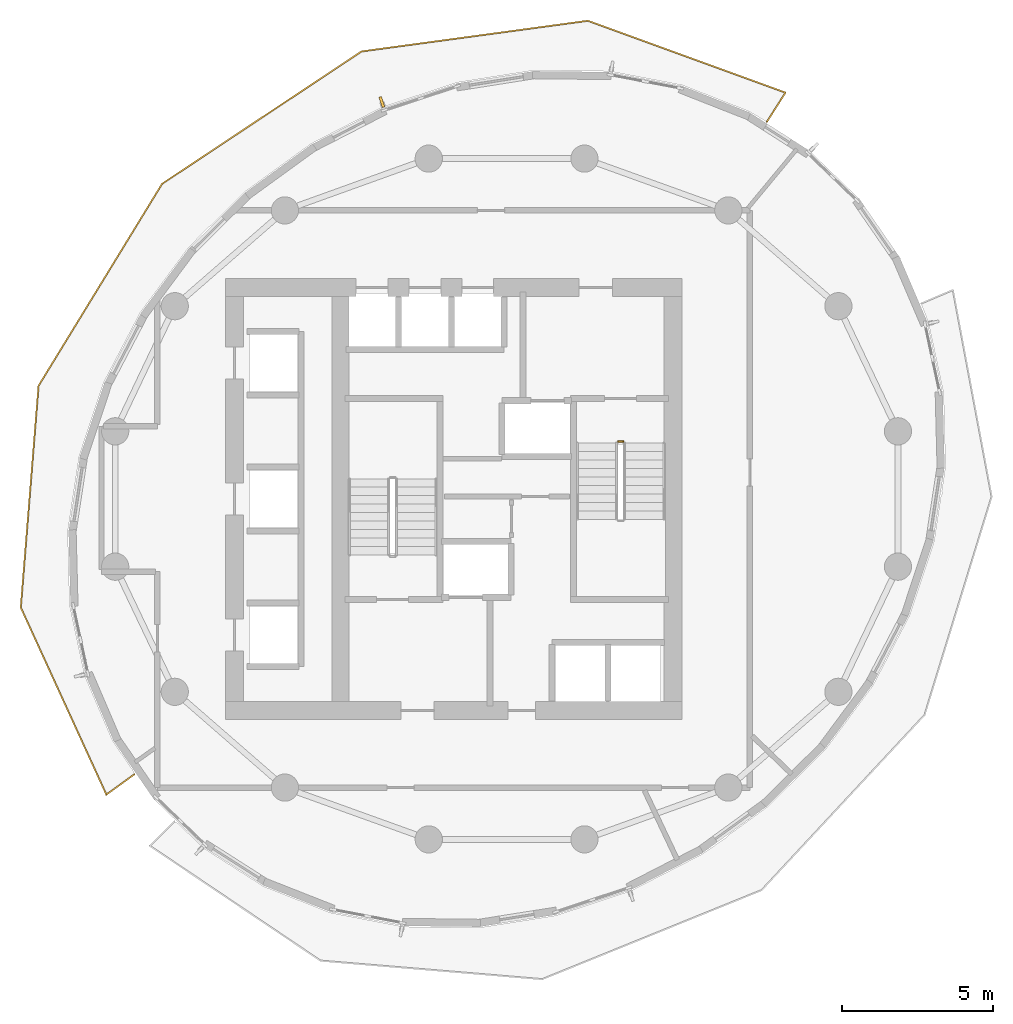
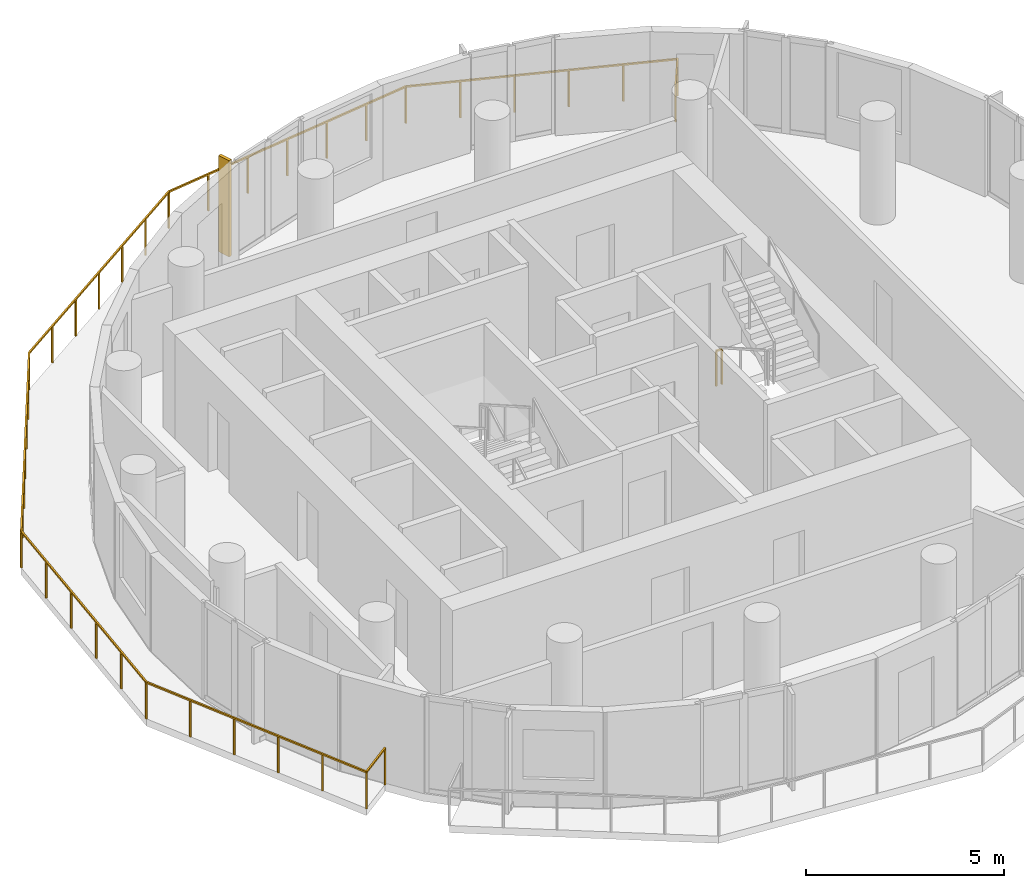
# One storey, part 8 of 9: 2 railings, 1 shading device.
"""IFC4 building model written with IfcOpenShell, lengths in metres."""

from ifc_helpers import new_model, si_unit, direction, frame, origin, origin_2d, place, context, subcontext, project, spatial, rectangle, extrude, material, layer, layer_set, type_object, element, save


model = new_model("IFC4")

# Units and contexts
model_context = context("Model", 3, precision=1e-05, world=origin(), true_north=direction((0.0, 1.0)))
body_context = subcontext(model_context, "Body", "Model", "MODEL_VIEW")
ifc_project = project(units=[si_unit("LENGTHUNIT", "METRE"), si_unit("AREAUNIT", "SQUARE_METRE"), si_unit("VOLUMEUNIT", "CUBIC_METRE"), si_unit("PLANEANGLEUNIT", "RADIAN"), si_unit("MASSUNIT", "GRAM", prefix="KILO")], contexts=[model_context])

# Site, building, storey
site_placement = place(None, origin())
site = spatial("IfcSite", under=ifc_project, at=site_placement, CompositionType="ELEMENT")
building_placement = place(site_placement, origin())
building = spatial("IfcBuilding", under=site, at=building_placement, Name="Veldorim Arch Residences", CompositionType="ELEMENT")
storey_placement = place(building_placement, frame((0.0, 0.0, 163.0400390625)))
storey = spatial("IfcBuildingStorey", under=building, at=storey_placement, Name="L48", CompositionType="ELEMENT", Elevation=163.0400390625)

# Railings
ifc_material_1 = material(Name="Aluminium", Category="aluminium")
railing_type_1 = type_object("IfcRailingType", Name="Balcony & Terrace Laminated Glass Balustrade 1150", PredefinedType="BALUSTRADE", material=ifc_material_1)
railing_1_placement = place(storey_placement, frame((40.608642578125, 36.47314453125, 0.0)))
element("IfcRailing", 1, at=railing_1_placement, inside=storey, type_object=railing_type_1, Name="L48 crescent balcony safety balustrade A", PredefinedType="BALUSTRADE", context=body_context, shape_type="SweptSolid", body=[
    extrude(rectangle(XDim=0.048095703125, YDim=0.048095703125, at=origin_2d()), frame((0.0, 0.0, 1.1259765625), z_axis=(0.537040302501, 0.843556585826, 0.0), x_axis=(-0.843556585826, 0.537040302501, 0.0)), (0.0, 0.0, 1.0), 1.150146484375),
    extrude(rectangle(XDim=0.048095703125, YDim=0.048095703125, at=origin_2d()), frame((0.61767578125, 0.97021484375, 1.1259765625), z_axis=(-0.939798546875, 0.341728973445, 0.0), x_axis=(-0.341728973445, -0.939798546875, 0.0)), (0.0, 0.0, 1.0), 6.956298828125),
    extrude(rectangle(XDim=0.048095703125, YDim=0.048095703125, at=origin_2d()), frame((-5.919921875, 3.347412109375, 1.1259765625), z_axis=(-0.990941128387, -0.134296984595, 0.0), x_axis=(0.134296984595, -0.990941128387, 0.0)), (0.0, 0.0, 1.0), 7.55517578125),
    extrude(rectangle(XDim=0.048095703125, YDim=0.048095703125, at=origin_2d()), frame((-13.40673828125, 2.332763671875, 1.1259765625), z_axis=(-0.833191581846, -0.552984437341, 0.0), x_axis=(0.552984437341, -0.833191581846, 0.0)), (0.0, 0.0, 1.0), 7.919189453125),
    extrude(rectangle(XDim=0.048095703125, YDim=0.048095703125, at=origin_2d()), frame((-20.0048828125, -2.04638671875, 1.1259765625), z_axis=(-0.52184841605, -0.853038235173, 0.0), x_axis=(0.853038235173, -0.52184841605, 0.0)), (0.0, 0.0, 1.0), 7.83154296875),
    extrude(rectangle(XDim=0.048095703125, YDim=0.048095703125, at=origin_2d()), frame((-24.091796875, -8.72705078125, 1.1259765625), z_axis=(-0.079944387741, -0.996799325275, 0.0), x_axis=(0.996799325275, -0.079944387741, 0.0)), (0.0, 0.0, 1.0), 7.356689453125),
    extrude(rectangle(XDim=0.048095703125, YDim=0.048095703125, at=origin_2d()), frame((-24.679931640625, -16.060302734375, 1.1259765625), z_axis=(0.415995312728, -0.909366757578, 0.0), x_axis=(0.909366757578, 0.415995312728, 0.0)), (0.0, 0.0, 1.0), 6.80908203125),
    extrude(rectangle(XDim=0.048095703125, YDim=0.048095703125, at=origin_2d()), frame((-21.847412109375, -22.252197265625, 1.1259765625), z_axis=(0.809827328484, 0.586668303252, 0.0), x_axis=(-0.586668303252, 0.809827328484, 0.0)), (0.0, 0.0, 1.0), 1.14990234375),
    extrude(rectangle(XDim=0.0419921875, YDim=0.0419921875, at=origin_2d()), origin(), (0.0, 0.0, 1.0), 1.101806640625),
    extrude(rectangle(XDim=0.0419921875, YDim=0.0419921875, at=origin_2d()), frame((0.61767578125, 0.97021484375, 0.0)), (0.0, 0.0, 1.0), 1.101806640625),
    extrude(rectangle(XDim=0.0419921875, YDim=0.0419921875, at=origin_2d()), frame((-0.68994140625, 1.445556640625, 0.0)), (0.0, 0.0, 1.0), 1.101806640625),
    extrude(rectangle(XDim=0.0419921875, YDim=0.0419921875, at=origin_2d()), frame((-1.997314453125, 1.921142578125, 0.0)), (0.0, 0.0, 1.0), 1.101806640625),
    extrude(rectangle(XDim=0.0419921875, YDim=0.0419921875, at=origin_2d()), frame((-3.304931640625, 2.396484375, 0.0)), (0.0, 0.0, 1.0), 1.101806640625),
    extrude(rectangle(XDim=0.0419921875, YDim=0.0419921875, at=origin_2d()), frame((-4.6123046875, 2.8720703125, 0.0)), (0.0, 0.0, 1.0), 1.101806640625),
    extrude(rectangle(XDim=0.0419921875, YDim=0.0419921875, at=origin_2d()), frame((-5.919921875, 3.347412109375, 0.0)), (0.0, 0.0, 1.0), 1.101806640625),
    extrude(rectangle(XDim=0.0419921875, YDim=0.0419921875, at=origin_2d()), frame((-7.167724609375, 3.17822265625, 0.0)), (0.0, 0.0, 1.0), 1.101806640625),
    extrude(rectangle(XDim=0.0419921875, YDim=0.0419921875, at=origin_2d()), frame((-8.41552734375, 3.00927734375, 0.0)), (0.0, 0.0, 1.0), 1.101806640625),
    extrude(rectangle(XDim=0.0419921875, YDim=0.0419921875, at=origin_2d()), frame((-9.663330078125, 2.840087890625, 0.0)), (0.0, 0.0, 1.0), 1.101806640625),
    extrude(rectangle(XDim=0.0419921875, YDim=0.0419921875, at=origin_2d()), frame((-10.9111328125, 2.6708984375, 0.0)), (0.0, 0.0, 1.0), 1.101806640625),
    extrude(rectangle(XDim=0.0419921875, YDim=0.0419921875, at=origin_2d()), frame((-12.158935546875, 2.501953125, 0.0)), (0.0, 0.0, 1.0), 1.101806640625),
    extrude(rectangle(XDim=0.0419921875, YDim=0.0419921875, at=origin_2d()), frame((-13.40673828125, 2.332763671875, 0.0)), (0.0, 0.0, 1.0), 1.101806640625),
    extrude(rectangle(XDim=0.0419921875, YDim=0.0419921875, at=origin_2d()), frame((-14.50634765625, 1.60302734375, 0.0)), (0.0, 0.0, 1.0), 1.101806640625),
    extrude(rectangle(XDim=0.0419921875, YDim=0.0419921875, at=origin_2d()), frame((-15.606201171875, 0.873046875, 0.0)), (0.0, 0.0, 1.0), 1.101806640625),
    extrude(rectangle(XDim=0.0419921875, YDim=0.0419921875, at=origin_2d()), frame((-16.705810546875, 0.14306640625, 0.0)), (0.0, 0.0, 1.0), 1.101806640625),
    extrude(rectangle(XDim=0.0419921875, YDim=0.0419921875, at=origin_2d()), frame((-17.805419921875, -0.586669921875, 0.0)), (0.0, 0.0, 1.0), 1.101806640625),
    extrude(rectangle(XDim=0.0419921875, YDim=0.0419921875, at=origin_2d()), frame((-18.9052734375, -1.31640625, 0.0)), (0.0, 0.0, 1.0), 1.101806640625),
    extrude(rectangle(XDim=0.0419921875, YDim=0.0419921875, at=origin_2d()), frame((-20.0048828125, -2.04638671875, 0.0)), (0.0, 0.0, 1.0), 1.101806640625),
    extrude(rectangle(XDim=0.0419921875, YDim=0.0419921875, at=origin_2d()), frame((-20.68603515625, -3.159912109375, 0.0)), (0.0, 0.0, 1.0), 1.101806640625),
    extrude(rectangle(XDim=0.0419921875, YDim=0.0419921875, at=origin_2d()), frame((-21.3671875, -4.273193359375, 0.0)), (0.0, 0.0, 1.0), 1.101806640625),
    extrude(rectangle(XDim=0.0419921875, YDim=0.0419921875, at=origin_2d()), frame((-22.04833984375, -5.38671875, 0.0)), (0.0, 0.0, 1.0), 1.101806640625),
    extrude(rectangle(XDim=0.0419921875, YDim=0.0419921875, at=origin_2d()), frame((-22.7294921875, -6.500244140625, 0.0)), (0.0, 0.0, 1.0), 1.101806640625),
    extrude(rectangle(XDim=0.0419921875, YDim=0.0419921875, at=origin_2d()), frame((-23.41064453125, -7.613525390625, 0.0)), (0.0, 0.0, 1.0), 1.101806640625),
    extrude(rectangle(XDim=0.0419921875, YDim=0.0419921875, at=origin_2d()), frame((-24.091796875, -8.72705078125, 0.0)), (0.0, 0.0, 1.0), 1.101806640625),
    extrude(rectangle(XDim=0.0419921875, YDim=0.0419921875, at=origin_2d()), frame((-24.20947265625, -10.193603515625, 0.0)), (0.0, 0.0, 1.0), 1.101806640625),
    extrude(rectangle(XDim=0.0419921875, YDim=0.0419921875, at=origin_2d()), frame((-24.3271484375, -11.660400390625, 0.0)), (0.0, 0.0, 1.0), 1.101806640625),
    extrude(rectangle(XDim=0.0419921875, YDim=0.0419921875, at=origin_2d()), frame((-24.444580078125, -13.126953125, 0.0)), (0.0, 0.0, 1.0), 1.101806640625),
    extrude(rectangle(XDim=0.0419921875, YDim=0.0419921875, at=origin_2d()), frame((-24.562255859375, -14.59375, 0.0)), (0.0, 0.0, 1.0), 1.101806640625),
    extrude(rectangle(XDim=0.0419921875, YDim=0.0419921875, at=origin_2d()), frame((-24.679931640625, -16.060302734375, 0.0)), (0.0, 0.0, 1.0), 1.101806640625),
    extrude(rectangle(XDim=0.0419921875, YDim=0.0419921875, at=origin_2d()), frame((-24.113525390625, -17.298583984375, 0.0)), (0.0, 0.0, 1.0), 1.101806640625),
    extrude(rectangle(XDim=0.0419921875, YDim=0.0419921875, at=origin_2d()), frame((-23.546875, -18.537109375, 0.0)), (0.0, 0.0, 1.0), 1.101806640625),
    extrude(rectangle(XDim=0.0419921875, YDim=0.0419921875, at=origin_2d()), frame((-22.98046875, -19.775390625, 0.0)), (0.0, 0.0, 1.0), 1.101806640625),
    extrude(rectangle(XDim=0.0419921875, YDim=0.0419921875, at=origin_2d()), frame((-22.413818359375, -21.013916015625, 0.0)), (0.0, 0.0, 1.0), 1.101806640625),
    extrude(rectangle(XDim=0.0419921875, YDim=0.0419921875, at=origin_2d()), frame((-21.847412109375, -22.252197265625, 0.0)), (0.0, 0.0, 1.0), 1.101806640625),
    extrude(rectangle(XDim=0.0419921875, YDim=0.0419921875, at=origin_2d()), frame((-20.916259765625, -21.57763671875, 0.0)), (0.0, 0.0, 1.0), 1.101806640625),
])
ifc_material_2 = material(Name="Steel S355", Category="steel")
railing_type_2 = type_object("IfcRailingType", Name="Galvanised Steel Stair Safety Guardrail 1100", PredefinedType="GUARDRAIL", material=ifc_material_2)
railing_2_placement = place(storey_placement, frame((35.68994140625, 25.89990234375, 0.0)))
element("IfcRailing", 2, at=railing_2_placement, inside=storey, type_object=railing_type_2, Name="L48 ST-2 stair guard 4", PredefinedType="GUARDRAIL", context=body_context, shape_type="SweptSolid", body=[
    extrude(rectangle(XDim=0.048095703125, YDim=0.048095703125, at=origin_2d()), frame((0.0, 0.0, 1.076171875), z_axis=(1.0, 0.0, 0.0), x_axis=(0.0, 1.0, 0.0)), (0.0, 0.0, 1.0), 0.16015625),
    extrude(rectangle(XDim=0.0419921875, YDim=0.0419921875, at=origin_2d()), origin(), (0.0, 0.0, 1.0), 1.052001953125),
    extrude(rectangle(XDim=0.0419921875, YDim=0.0419921875, at=origin_2d()), frame((0.16015625, 0.0, 0.0)), (0.0, 0.0, 1.0), 1.052001953125),
])

# Shading device
ifc_material_3 = material(Name="Terracotta Ceramic", Category="masonry")
ifc_layer = layer(ifc_material_3, 0.090087890625, Name="Vertical Extruded Terracotta Baguette Sun-Shading Fin")
ifc_layer_set = layer_set([ifc_layer], Name="Terracotta Ceramic")
shading_device_type = type_object("IfcShadingDeviceType", Name="Vertical Extruded Terracotta Baguette Sun-Shading Fin", PredefinedType="USERDEFINED", material=ifc_layer_set)
shading_device_placement = place(storey_placement, frame((27.872802734375, 37.13134765625, 0.0), z_axis=(0.0, 0.0, 1.0), x_axis=(0.949699126202, 0.313163806484, 0.0)))
element("IfcShadingDevice", 3, at=shading_device_placement, inside=storey, type_object=shading_device_type, Name="L48 vertical terracotta sun-shading fin 07", ObjectType="FIN", PredefinedType="USERDEFINED", context=body_context, shape_type="SweptSolid", body=[
    extrude(rectangle(XDim=0.090087890625, YDim=0.360107421875, at=origin_2d()), origin(), (0.0, 0.0, 1.0), 2.9599609375),
])

save(model, "model.ifc")
